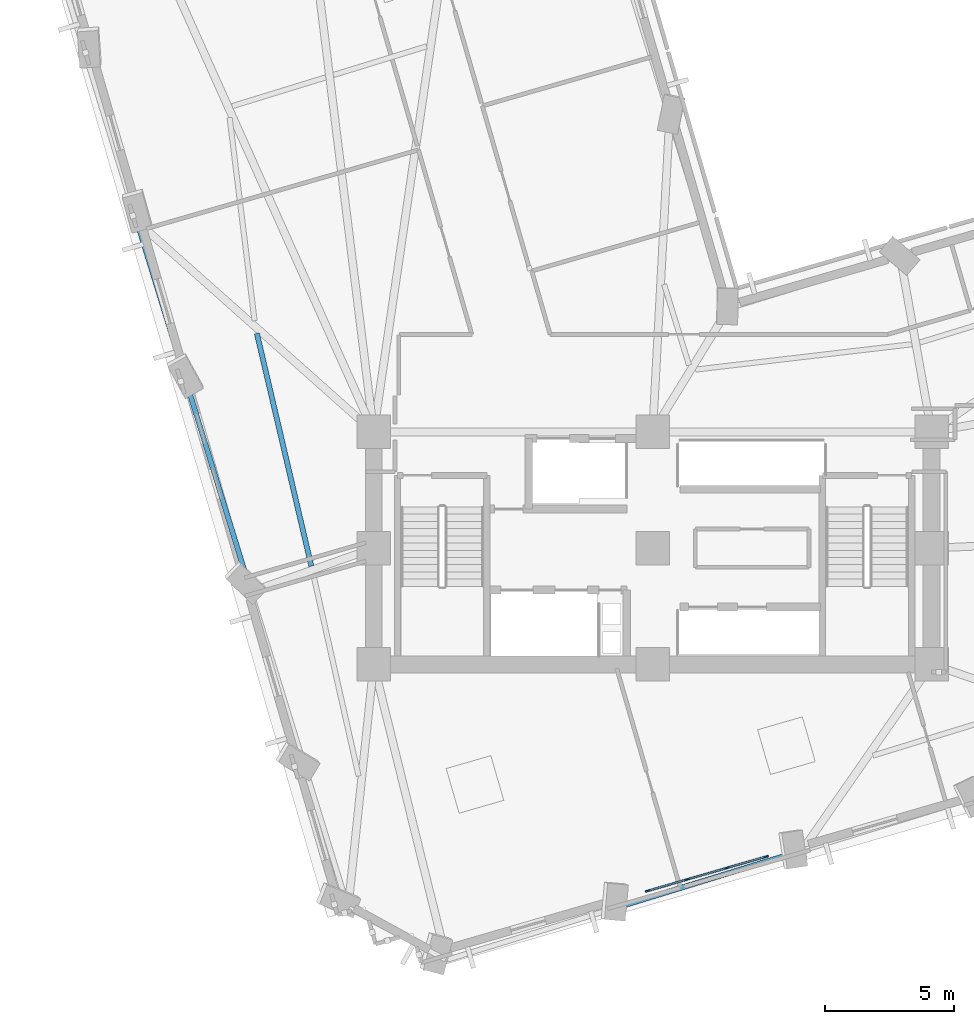
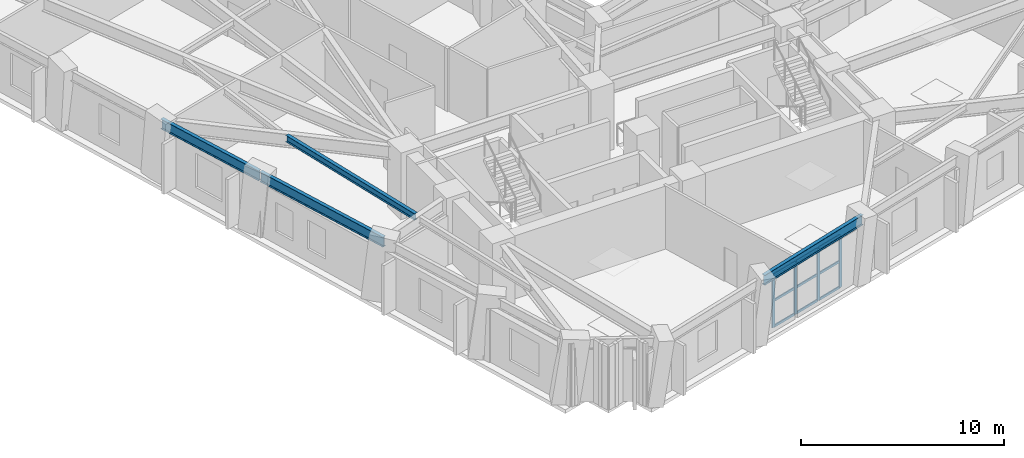
# One storey, part 2 of 15: 13 members, 4 beams, 1 element without a shape of its own.
"""IFC4 building model written with IfcOpenShell, lengths in metres."""

from ifc_helpers import new_model, si_unit, direction, frame, origin, origin_2d, place, context, subcontext, project, spatial, rectangle, i_section, extrude, material, material_profile, profile_set, type_object, element, aggregate, save


model = new_model("IFC4")

# Units and contexts
model_context = context("Model", 3, precision=1e-05, world=origin(), true_north=direction((0.0, 1.0)))
body_context = subcontext(model_context, "Body", "Model", "MODEL_VIEW")
ifc_project = project(units=[si_unit("LENGTHUNIT", "METRE"), si_unit("AREAUNIT", "SQUARE_METRE"), si_unit("VOLUMEUNIT", "CUBIC_METRE"), si_unit("PLANEANGLEUNIT", "RADIAN"), si_unit("MASSUNIT", "GRAM", prefix="KILO")], contexts=[model_context])

# Site, building, storey
site_placement = place(None, origin())
site = spatial("IfcSite", under=ifc_project, at=site_placement, CompositionType="ELEMENT")
building_placement = place(site_placement, origin())
building = spatial("IfcBuilding", under=site, at=building_placement, Name="Gaonmaruhae Medical Tower", CompositionType="ELEMENT")
storey_placement = place(building_placement, frame((0.0, 0.0, 92.39990234375)))
storey = spatial("IfcBuildingStorey", under=building, at=storey_placement, Name="L21", CompositionType="ELEMENT", Elevation=92.39990234375)

# Curtain wall, members
ifc_material_1 = material(Name="Anodised aluminium and Low-E double glazing", Category="aluminium")
curtain_wall_type = type_object("IfcCurtainWallType", Name="CW-S3 Spiralling Dayroom Ribbon Curtain Wall", PredefinedType="NOTDEFINED", material=ifc_material_1)
curtain_wall_placement = place(storey_placement, origin())
curtain_wall = element("IfcCurtainWall", 1, at=curtain_wall_placement, inside=storey, type_object=curtain_wall_type, Name="L21 Curtain Wall CW-L21-S02", PredefinedType="NOTDEFINED")
ifc_material_2 = material(Name="Anodised aluminium 6063-T6", Category="aluminium")
ifc_material_profile_1 = material_profile(ifc_material_2, rectangle(XDim=0.06494140625, YDim=0.179931640625, at=origin_2d()), Name="CWM-65x180")
ifc_profile_set_1 = profile_set([ifc_material_profile_1], Name="Anodised aluminium 6063-T6")
member_type_1 = type_object("IfcMemberType", Name="CWM-2 Tower Feature Curtain Wall Mullion (CWM-65x180)", PredefinedType="MULLION", material=ifc_profile_set_1)
member_1_placement = place(storey_placement, frame((29.193359375, 0.35986328125, 0.0), z_axis=(0.0, 0.0, 1.0), x_axis=(0.278139879032, -0.960540580971, 0.0)))
member_1 = element("IfcMember", 2, at=member_1_placement, type_object=member_type_1, Name="CW-S3 mullion 1", PredefinedType="MULLION", context=body_context, shape_type="SweptSolid", body=[
    extrude(rectangle(XDim=0.06494140625, YDim=0.179931640625, at=origin_2d()), origin(), (0.0, 0.0, 1.0), 3.1650390625),
])
member_2_placement = place(storey_placement, frame((27.675537109375, -0.079833984375, 0.0), z_axis=(0.0, 0.0, 1.0), x_axis=(0.278139879032, -0.960540580971, 0.0)))
member_2 = element("IfcMember", 3, at=member_2_placement, type_object=member_type_1, Name="CW-S3 mullion 2", PredefinedType="MULLION", context=body_context, shape_type="SweptSolid", body=[
    extrude(rectangle(XDim=0.06494140625, YDim=0.179931640625, at=origin_2d()), origin(), (0.0, 0.0, 1.0), 3.1650390625),
])
member_3_placement = place(storey_placement, frame((26.12646484375, -0.5283203125, 0.0), z_axis=(0.0, 0.0, 1.0), x_axis=(0.278139879032, -0.960540580971, 0.0)))
member_3 = element("IfcMember", 4, at=member_3_placement, type_object=member_type_1, Name="CW-S3 mullion 3", PredefinedType="MULLION", context=body_context, shape_type="SweptSolid", body=[
    extrude(rectangle(XDim=0.06494140625, YDim=0.179931640625, at=origin_2d()), origin(), (0.0, 0.0, 1.0), 3.1650390625),
])
member_4_placement = place(storey_placement, frame((24.6083984375, -0.9677734375, 0.0), z_axis=(0.0, 0.0, 1.0), x_axis=(0.278139879032, -0.960540580971, 0.0)))
member_4 = element("IfcMember", 5, at=member_4_placement, type_object=member_type_1, Name="CW-S3 mullion 4", PredefinedType="MULLION", context=body_context, shape_type="SweptSolid", body=[
    extrude(rectangle(XDim=0.06494140625, YDim=0.179931640625, at=origin_2d()), origin(), (0.0, 0.0, 1.0), 3.1650390625),
])
ifc_material_profile_2 = material_profile(ifc_material_2, rectangle(XDim=0.06494140625, YDim=0.139892578125, at=origin_2d()), Name="CWT-65x140")
ifc_profile_set_2 = profile_set([ifc_material_profile_2], Name="Anodised aluminium 6063-T6")
member_type_2 = type_object("IfcMemberType", Name="CWT-2 Tower Feature Curtain Wall Transom (CWT-65x140)", PredefinedType="USERDEFINED", material=ifc_profile_set_2)
member_5_placement = place(storey_placement, frame((29.162109375, 0.350830078125, 0.03271484375), z_axis=(-0.960501950049, -0.278273254108, 0.0), x_axis=(0.278273254108, -0.960501950049, 0.0)))
member_5 = element("IfcMember", 6, at=member_5_placement, type_object=member_type_2, Name="CW-S3 transom 1.1", ObjectType="TRANSOM", PredefinedType="USERDEFINED", context=body_context, shape_type="SweptSolid", body=[
    extrude(rectangle(XDim=0.06494140625, YDim=0.139892578125, at=origin_2d()), origin(), (0.0, 0.0, 1.0), 1.51513671875),
])
member_6_placement = place(storey_placement, frame((29.162109375, 0.350830078125, 1.58251953125), z_axis=(-0.960501950049, -0.278273254108, 0.0), x_axis=(0.278273254108, -0.960501950049, 0.0)))
member_6 = element("IfcMember", 7, at=member_6_placement, type_object=member_type_2, Name="CW-S3 transom 1.2", ObjectType="TRANSOM", PredefinedType="USERDEFINED", context=body_context, shape_type="SweptSolid", body=[
    extrude(rectangle(XDim=0.06494140625, YDim=0.139892578125, at=origin_2d()), origin(), (0.0, 0.0, 1.0), 1.51513671875),
])
member_7_placement = place(storey_placement, frame((29.162109375, 0.350830078125, 3.132568359375), z_axis=(-0.960501950049, -0.278273254108, 0.0), x_axis=(0.278273254108, -0.960501950049, 0.0)))
member_7 = element("IfcMember", 8, at=member_7_placement, type_object=member_type_2, Name="CW-S3 transom 1.3", ObjectType="TRANSOM", PredefinedType="USERDEFINED", context=body_context, shape_type="SweptSolid", body=[
    extrude(rectangle(XDim=0.06494140625, YDim=0.139892578125, at=origin_2d()), origin(), (0.0, 0.0, 1.0), 1.51513671875),
])
member_8_placement = place(storey_placement, frame((27.644287109375, -0.0888671875, 0.03271484375), z_axis=(-0.960547630771, -0.278115531787, 0.0), x_axis=(0.278115531787, -0.960547630771, 0.0)))
member_8 = element("IfcMember", 9, at=member_8_placement, type_object=member_type_2, Name="CW-S3 transom 2.1", ObjectType="TRANSOM", PredefinedType="USERDEFINED", context=body_context, shape_type="SweptSolid", body=[
    extrude(rectangle(XDim=0.06494140625, YDim=0.139892578125, at=origin_2d()), origin(), (0.0, 0.0, 1.0), 1.547607421875),
])
member_9_placement = place(storey_placement, frame((27.644287109375, -0.0888671875, 1.58251953125), z_axis=(-0.960547630771, -0.278115531787, 0.0), x_axis=(0.278115531787, -0.960547630771, 0.0)))
member_9 = element("IfcMember", 10, at=member_9_placement, type_object=member_type_2, Name="CW-S3 transom 2.2", ObjectType="TRANSOM", PredefinedType="USERDEFINED", context=body_context, shape_type="SweptSolid", body=[
    extrude(rectangle(XDim=0.06494140625, YDim=0.139892578125, at=origin_2d()), origin(), (0.0, 0.0, 1.0), 1.547607421875),
])
member_10_placement = place(storey_placement, frame((27.644287109375, -0.0888671875, 3.132568359375), z_axis=(-0.960547630771, -0.278115531787, 0.0), x_axis=(0.278115531787, -0.960547630771, 0.0)))
member_10 = element("IfcMember", 11, at=member_10_placement, type_object=member_type_2, Name="CW-S3 transom 2.3", ObjectType="TRANSOM", PredefinedType="USERDEFINED", context=body_context, shape_type="SweptSolid", body=[
    extrude(rectangle(XDim=0.06494140625, YDim=0.139892578125, at=origin_2d()), origin(), (0.0, 0.0, 1.0), 1.547607421875),
])
member_11_placement = place(storey_placement, frame((26.09521484375, -0.537353515625, 0.03271484375), z_axis=(-0.960557469573, -0.278081548555, 0.0), x_axis=(0.278081548555, -0.960557469573, 0.0)))
member_11 = element("IfcMember", 12, at=member_11_placement, type_object=member_type_2, Name="CW-S3 transom 3.1", ObjectType="TRANSOM", PredefinedType="USERDEFINED", context=body_context, shape_type="SweptSolid", body=[
    extrude(rectangle(XDim=0.06494140625, YDim=0.139892578125, at=origin_2d()), origin(), (0.0, 0.0, 1.0), 1.515380859375),
])
member_12_placement = place(storey_placement, frame((26.09521484375, -0.537353515625, 1.58251953125), z_axis=(-0.960557469573, -0.278081548555, 0.0), x_axis=(0.278081548555, -0.960557469573, 0.0)))
member_12 = element("IfcMember", 13, at=member_12_placement, type_object=member_type_2, Name="CW-S3 transom 3.2", ObjectType="TRANSOM", PredefinedType="USERDEFINED", context=body_context, shape_type="SweptSolid", body=[
    extrude(rectangle(XDim=0.06494140625, YDim=0.139892578125, at=origin_2d()), origin(), (0.0, 0.0, 1.0), 1.515380859375),
])
member_13_placement = place(storey_placement, frame((26.09521484375, -0.537353515625, 3.132568359375), z_axis=(-0.960557469573, -0.278081548555, 0.0), x_axis=(0.278081548555, -0.960557469573, 0.0)))
member_13 = element("IfcMember", 14, at=member_13_placement, type_object=member_type_2, Name="CW-S3 transom 3.3", ObjectType="TRANSOM", PredefinedType="USERDEFINED", context=body_context, shape_type="SweptSolid", body=[
    extrude(rectangle(XDim=0.06494140625, YDim=0.139892578125, at=origin_2d()), origin(), (0.0, 0.0, 1.0), 1.515380859375),
])
aggregate(curtain_wall, [member_1, member_2, member_3, member_4, member_5, member_6, member_7, member_8, member_9, member_10, member_11, member_12, member_13])

# Beams
ifc_material_3 = material(Name="Steel SM355", Category="steel")
ifc_material_profile_3 = material_profile(ifc_material_3, i_section(OverallWidth=0.199951171875, OverallDepth=0.39990234375, WebThickness=0.008056640625, FlangeThickness=0.012939453125, FilletRadius=0.012939453125, at=origin_2d()), Name="H-400x200x8x13")
ifc_profile_set_3 = profile_set([ifc_material_profile_3], Name="Steel SM355")
beam_type_1 = type_object("IfcBeamType", Name="FJ-01 Lower Zone Ward Floor Joist (H-400x200x8x13)", PredefinedType="JOIST", material=ifc_profile_set_3)
beam_1_placement = place(storey_placement, frame((9.47802734375, 20.614990234375, 3.580078125), z_axis=(0.227988817487, -0.973663750532, 0.0), x_axis=(0.973663750532, 0.227988817487, 0.0)))
element("IfcBeam", 15, at=beam_1_placement, inside=storey, type_object=beam_type_1, Name="L21 Secondary Floor Joist FJ13", PredefinedType="JOIST", context=body_context, shape_type="SweptSolid", body=[
    extrude(i_section(OverallWidth=0.199951171875, OverallDepth=0.39990234375, WebThickness=0.008056640625, FlangeThickness=0.012939453125, FilletRadius=0.012939453125, at=origin_2d()), origin(), (0.0, 0.0, 1.0), 9.25),
])
ifc_material_profile_4 = material_profile(ifc_material_3, i_section(OverallWidth=0.199951171875, OverallDepth=0.60009765625, WebThickness=0.010986328125, FlangeThickness=0.01708984375, FilletRadius=0.012939453125, at=origin_2d()), Name="H-600x200x11x17")
ifc_profile_set_4 = profile_set([ifc_material_profile_4], Name="Steel SM355")
beam_type_2 = type_object("IfcBeamType", Name="SP-01 Lower Perimeter Spandrel Beam (H-600x200x11x17)", PredefinedType="SPANDREL", material=ifc_profile_set_4)
beam_2_placement = place(storey_placement, frame((23.740966796875, -1.51220703125, 3.47998046875), z_axis=(0.955784939681, 0.29406657253, 0.0), x_axis=(-0.29406657253, 0.955784939681, 0.0)))
element("IfcBeam", 16, at=beam_2_placement, inside=storey, type_object=beam_type_2, Name="L21 Perimeter Spandrel Beam S02-S03", PredefinedType="SPANDREL", context=body_context, shape_type="SweptSolid", body=[
    extrude(i_section(OverallWidth=0.199951171875, OverallDepth=0.60009765625, WebThickness=0.010986328125, FlangeThickness=0.01708984375, FilletRadius=0.012939453125, at=origin_2d()), origin(), (0.0, 0.0, 1.0), 7.119873046875),
])
beam_3_placement = place(storey_placement, frame((4.846435546875, 24.91015625, 3.47998046875), z_axis=(0.294046679995, -0.955791059795, 0.0), x_axis=(0.955791059795, 0.294046679995, 0.0)))
element("IfcBeam", 17, at=beam_3_placement, inside=storey, type_object=beam_type_2, Name="L21 Perimeter Spandrel Beam W03-W04", PredefinedType="SPANDREL", context=body_context, shape_type="SweptSolid", body=[
    extrude(i_section(OverallWidth=0.199951171875, OverallDepth=0.60009765625, WebThickness=0.010986328125, FlangeThickness=0.01708984375, FilletRadius=0.012939453125, at=origin_2d()), origin(), (0.0, 0.0, 1.0), 6.570068359375),
])
beam_4_placement = place(storey_placement, frame((6.8017578125, 18.55419921875, 3.47998046875), z_axis=(0.29405473237, -0.955788582465, 0.0), x_axis=(0.955788582465, 0.29405473237, 0.0)))
element("IfcBeam", 18, at=beam_4_placement, inside=storey, type_object=beam_type_2, Name="L21 Perimeter Spandrel Beam W04-W05", PredefinedType="SPANDREL", context=body_context, shape_type="SweptSolid", body=[
    extrude(i_section(OverallWidth=0.199951171875, OverallDepth=0.60009765625, WebThickness=0.010986328125, FlangeThickness=0.01708984375, FilletRadius=0.012939453125, at=origin_2d()), origin(), (0.0, 0.0, 1.0), 8.270263671875),
])

save(model, "model.ifc")
